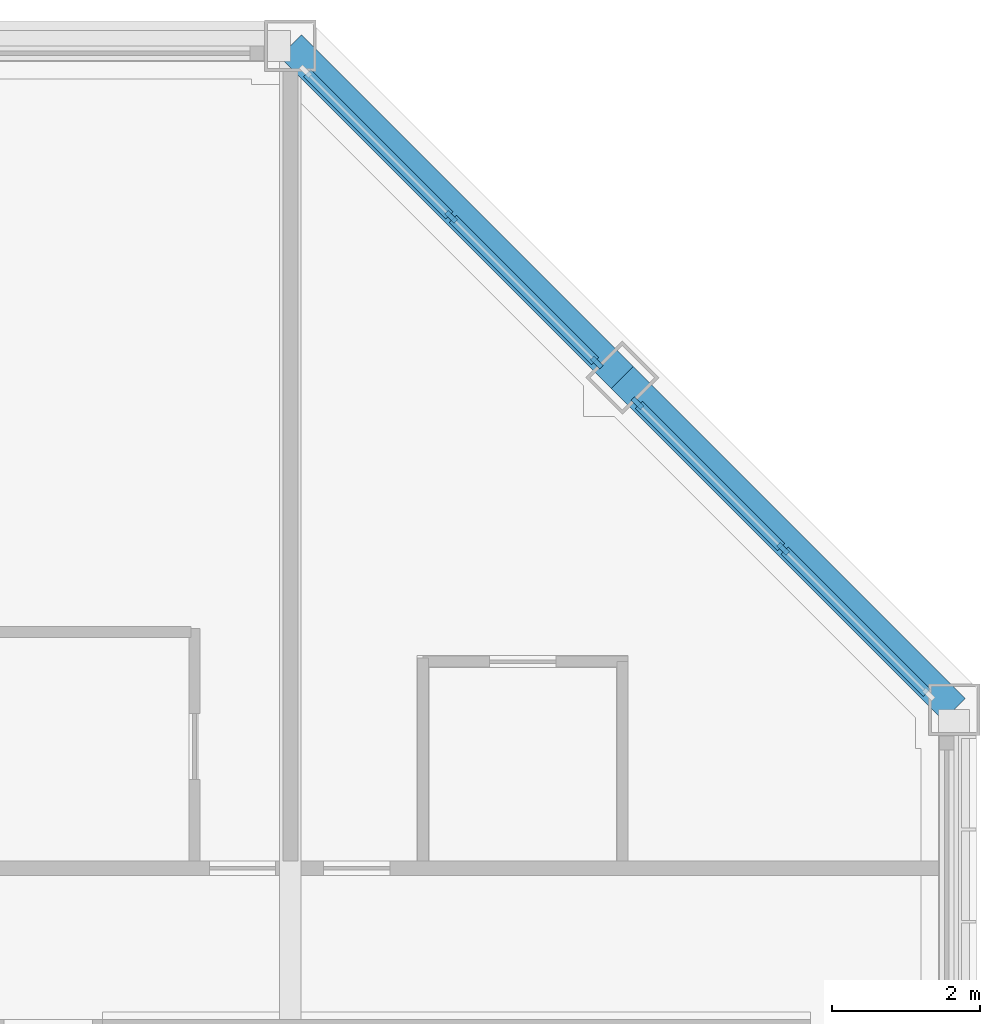
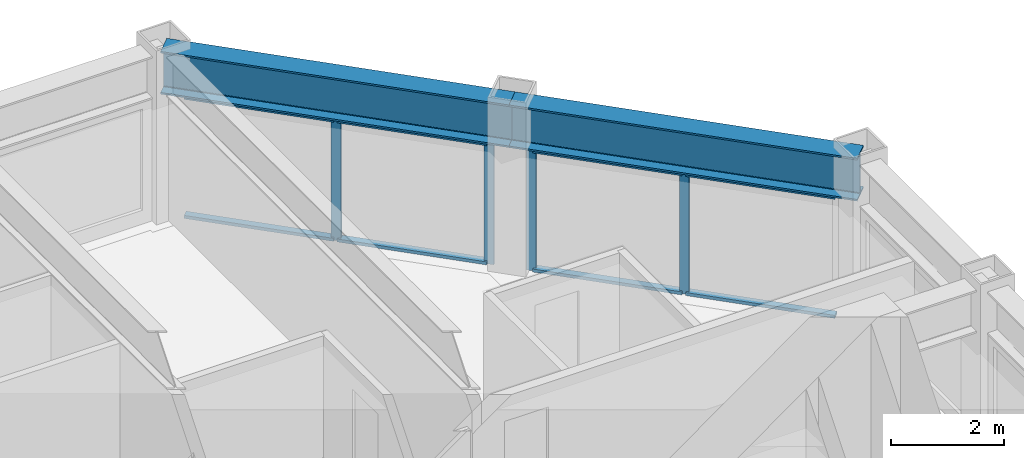
# One storey, part 7 of 17: 12 members, 2 beams, 2 elements without a shape of their own.
"""IFC4 building model written with IfcOpenShell, lengths in metres."""

from ifc_helpers import new_model, si_unit, direction, frame, origin, origin_2d, place, context, subcontext, project, spatial, rectangle, i_section, extrude, material, material_profile, profile_set, type_object, element, aggregate, save


model = new_model("IFC4")

# Units and contexts
model_context = context("Model", 3, precision=1e-05, world=origin(), true_north=direction((0.0, 1.0)))
body_context = subcontext(model_context, "Body", "Model", "MODEL_VIEW")
ifc_project = project(units=[si_unit("LENGTHUNIT", "METRE"), si_unit("AREAUNIT", "SQUARE_METRE"), si_unit("VOLUMEUNIT", "CUBIC_METRE"), si_unit("PLANEANGLEUNIT", "RADIAN"), si_unit("MASSUNIT", "GRAM", prefix="KILO")], contexts=[model_context])

# Site, building, storey
site_placement = place(None, origin())
site = spatial("IfcSite", under=ifc_project, at=site_placement, CompositionType="ELEMENT")
building_placement = place(site_placement, origin())
building = spatial("IfcBuilding", under=site, at=building_placement, Name="Msasa Ring Tower", CompositionType="ELEMENT")
storey_placement = place(building_placement, frame((0.0, 0.0, 238.300048828125)))
storey = spatial("IfcBuildingStorey", under=building, at=storey_placement, Name="L62", CompositionType="ELEMENT", Elevation=238.300048828125)

# Curtain wall, members
ifc_material_1 = material(Name="Aluminium curtain wall with clear glass", Category="aluminium")
curtain_wall_type = type_object("IfcCurtainWallType", Name="CW-C CHAMFER CORNER CURTAIN WALL", PredefinedType="NOTDEFINED", material=ifc_material_1)
curtain_wall_1_placement = place(storey_placement, origin())
curtain_wall_1 = element("IfcCurtainWall", 1, at=curtain_wall_1_placement, inside=storey, type_object=curtain_wall_type, Name="Chamfer corner curtain wall NE L62", PredefinedType="NOTDEFINED")
ifc_material_2 = material(Name="Aluminium mullion", Category="aluminium")
ifc_material_profile_1 = material_profile(ifc_material_2, rectangle(XDim=0.06494140625, YDim=0.179931640625, at=origin_2d()), Name="AL 65x180")
ifc_profile_set_1 = profile_set([ifc_material_profile_1], Name="Aluminium mullion")
member_type_1 = type_object("IfcMemberType", Name="CW-C MULLION 65x180", PredefinedType="MULLION", material=ifc_profile_set_1)
member_1_placement = place(storey_placement, frame((15.4052734375, 15.953369140625, 0.0), z_axis=(0.0, 0.0, 1.0), x_axis=(-0.707106781187, -0.707106781187, 0.0)))
member_1 = element("IfcMember", 2, at=member_1_placement, type_object=member_type_1, Name="CW-C mullion 1", PredefinedType="MULLION", context=body_context, shape_type="SweptSolid", body=[
    extrude(rectangle(XDim=0.06494140625, YDim=0.179931640625, at=origin_2d()), origin(), (0.0, 0.0, 1.0), 2.62890625),
])
member_2_placement = place(storey_placement, frame((13.42919921875, 17.92919921875, 0.0), z_axis=(0.0, 0.0, 1.0), x_axis=(-0.707106781187, -0.707106781187, 0.0)))
member_2 = element("IfcMember", 3, at=member_2_placement, type_object=member_type_1, Name="CW-C mullion 2", PredefinedType="MULLION", context=body_context, shape_type="SweptSolid", body=[
    extrude(rectangle(XDim=0.06494140625, YDim=0.179931640625, at=origin_2d()), origin(), (0.0, 0.0, 1.0), 2.62890625),
])

curtain_wall_2_placement = place(storey_placement, origin())
curtain_wall_2 = element("IfcCurtainWall", 4, at=curtain_wall_2_placement, inside=storey, type_object=curtain_wall_type, Name="Chamfer corner curtain wall NE L62", PredefinedType="NOTDEFINED")
member_3_placement = place(storey_placement, frame((17.92919921875, 13.42919921875, 0.0), z_axis=(0.0, 0.0, 1.0), x_axis=(-0.707106781187, -0.707106781187, 0.0)))
member_3 = element("IfcMember", 5, at=member_3_placement, type_object=member_type_1, Name="CW-C mullion 2", PredefinedType="MULLION", context=body_context, shape_type="SweptSolid", body=[
    extrude(rectangle(XDim=0.06494140625, YDim=0.179931640625, at=origin_2d()), origin(), (0.0, 0.0, 1.0), 2.62890625),
])
member_4_placement = place(storey_placement, frame((15.953369140625, 15.4052734375, 0.0), z_axis=(0.0, 0.0, 1.0), x_axis=(-0.707106781187, -0.707106781187, 0.0)))
member_4 = element("IfcMember", 6, at=member_4_placement, type_object=member_type_1, Name="CW-C mullion 3", PredefinedType="MULLION", context=body_context, shape_type="SweptSolid", body=[
    extrude(rectangle(XDim=0.06494140625, YDim=0.179931640625, at=origin_2d()), origin(), (0.0, 0.0, 1.0), 2.62890625),
])

# Member
ifc_material_3 = material(Name="Aluminium transom", Category="aluminium")
ifc_material_profile_2 = material_profile(ifc_material_3, rectangle(XDim=0.139892578125, YDim=0.06494140625, at=origin_2d()), Name="AL 65x140")
ifc_profile_set_2 = profile_set([ifc_material_profile_2], Name="Aluminium transom")
member_type_2 = type_object("IfcMemberType", Name="CW-C TRANSOM 65x140", PredefinedType="USERDEFINED", material=ifc_profile_set_2)
member_5_placement = place(storey_placement, frame((15.38232421875, 15.976318359375, 0.032470703125), z_axis=(-0.707106781187, 0.707106781187, 0.0), x_axis=(-0.707106781187, -0.707106781187, 0.0)))
member_5 = element("IfcMember", 7, at=member_5_placement, type_object=member_type_2, Name="CW-C transom 1.1", ObjectType="TRANSOM", PredefinedType="USERDEFINED", context=body_context, shape_type="SweptSolid", body=[
    extrude(rectangle(XDim=0.139892578125, YDim=0.06494140625, at=origin_2d()), origin(), (0.0, 0.0, 1.0), 2.729248046875),
])

member_6_placement = place(storey_placement, frame((15.38232421875, 15.976318359375, 2.596435546875), z_axis=(-0.707106781187, 0.707106781187, 0.0), x_axis=(-0.707106781187, -0.707106781187, 0.0)))
member_6 = element("IfcMember", 8, at=member_6_placement, type_object=member_type_2, Name="CW-C transom 1.2", ObjectType="TRANSOM", PredefinedType="USERDEFINED", context=body_context, shape_type="SweptSolid", body=[
    extrude(rectangle(XDim=0.139892578125, YDim=0.06494140625, at=origin_2d()), origin(), (0.0, 0.0, 1.0), 2.729248046875),
])

member_7_placement = place(storey_placement, frame((13.40625, 17.952392578125, 0.032470703125), z_axis=(-0.707106781187, 0.707106781187, 0.0), x_axis=(-0.707106781187, -0.707106781187, 0.0)))
member_7 = element("IfcMember", 9, at=member_7_placement, type_object=member_type_2, Name="CW-C transom 2.1", ObjectType="TRANSOM", PredefinedType="USERDEFINED", context=body_context, shape_type="SweptSolid", body=[
    extrude(rectangle(XDim=0.139892578125, YDim=0.06494140625, at=origin_2d()), origin(), (0.0, 0.0, 1.0), 2.729248046875),
])

member_8_placement = place(storey_placement, frame((13.40625, 17.952392578125, 2.596435546875), z_axis=(-0.707106781187, 0.707106781187, 0.0), x_axis=(-0.707106781187, -0.707106781187, 0.0)))
member_8 = element("IfcMember", 10, at=member_8_placement, type_object=member_type_2, Name="CW-C transom 2.2", ObjectType="TRANSOM", PredefinedType="USERDEFINED", context=body_context, shape_type="SweptSolid", body=[
    extrude(rectangle(XDim=0.139892578125, YDim=0.06494140625, at=origin_2d()), origin(), (0.0, 0.0, 1.0), 2.729248046875),
])

aggregate(curtain_wall_1, [member_1, member_2, member_5, member_6, member_7, member_8])

member_9_placement = place(storey_placement, frame((19.88232421875, 11.476318359375, 0.032470703125), z_axis=(-0.707106781187, 0.707106781187, 0.0), x_axis=(-0.707106781187, -0.707106781187, 0.0)))
member_9 = element("IfcMember", 11, at=member_9_placement, type_object=member_type_2, Name="CW-C transom 1.1", ObjectType="TRANSOM", PredefinedType="USERDEFINED", context=body_context, shape_type="SweptSolid", body=[
    extrude(rectangle(XDim=0.139892578125, YDim=0.06494140625, at=origin_2d()), origin(), (0.0, 0.0, 1.0), 2.729248046875),
])

member_10_placement = place(storey_placement, frame((19.88232421875, 11.476318359375, 2.596435546875), z_axis=(-0.707106781187, 0.707106781187, 0.0), x_axis=(-0.707106781187, -0.707106781187, 0.0)))
member_10 = element("IfcMember", 12, at=member_10_placement, type_object=member_type_2, Name="CW-C transom 1.2", ObjectType="TRANSOM", PredefinedType="USERDEFINED", context=body_context, shape_type="SweptSolid", body=[
    extrude(rectangle(XDim=0.139892578125, YDim=0.06494140625, at=origin_2d()), origin(), (0.0, 0.0, 1.0), 2.729248046875),
])

member_11_placement = place(storey_placement, frame((17.90625, 13.452392578125, 0.032470703125), z_axis=(-0.707106781187, 0.707106781187, 0.0), x_axis=(-0.707106781187, -0.707106781187, 0.0)))
member_11 = element("IfcMember", 13, at=member_11_placement, type_object=member_type_2, Name="CW-C transom 2.1", ObjectType="TRANSOM", PredefinedType="USERDEFINED", context=body_context, shape_type="SweptSolid", body=[
    extrude(rectangle(XDim=0.139892578125, YDim=0.06494140625, at=origin_2d()), origin(), (0.0, 0.0, 1.0), 2.729248046875),
])

member_12_placement = place(storey_placement, frame((17.90625, 13.452392578125, 2.596435546875), z_axis=(-0.707106781187, 0.707106781187, 0.0), x_axis=(-0.707106781187, -0.707106781187, 0.0)))
member_12 = element("IfcMember", 14, at=member_12_placement, type_object=member_type_2, Name="CW-C transom 2.2", ObjectType="TRANSOM", PredefinedType="USERDEFINED", context=body_context, shape_type="SweptSolid", body=[
    extrude(rectangle(XDim=0.139892578125, YDim=0.06494140625, at=origin_2d()), origin(), (0.0, 0.0, 1.0), 2.729248046875),
])

aggregate(curtain_wall_2, [member_3, member_4, member_9, member_10, member_11, member_12])

# Beams
ifc_material_4 = material(Name="Steel S355", Category="steel")
ifc_material_profile_3 = material_profile(ifc_material_4, i_section(OverallWidth=0.42041015625, OverallDepth=0.9208984375, WebThickness=0.021484375, FlangeThickness=0.03662109375, FilletRadius=0.024169921875, at=origin_2d()), Name="UB 914x419x388")
ifc_profile_set_3 = profile_set([ifc_material_profile_3], Name="Steel S355")
beam_type = type_object("IfcBeamType", Name="SB1 UB 914x419x388", PredefinedType="SPANDREL", material=ifc_profile_set_3)
for number, where, z_axis, x_axis, name in (
    (15, (20.25, 11.25, 3.08935546875), (-0.707106781187, 0.707106781187, 0.0), (-0.707106781187, -0.707106781187, 0.0), "Spandrel E+11.25 to NE under L63"),
    (16, (15.75, 15.75, 3.08935546875), (-0.707106781187, 0.707106781187, 0.0), (-0.707106781187, -0.707106781187, 0.0), "Spandrel NE to N+11.25 under L63"),
):
    element("IfcBeam", number, at=place(storey_placement, frame(where, z_axis=z_axis, x_axis=x_axis)), inside=storey, type_object=beam_type, Name=name, PredefinedType="SPANDREL", context=body_context, shape_type="SweptSolid", body=[
        extrude(i_section(OverallWidth=0.42041015625, OverallDepth=0.9208984375, WebThickness=0.021484375, FlangeThickness=0.03662109375, FilletRadius=0.024169921875, at=origin_2d()), origin(), (0.0, 0.0, 1.0), 6.364013671875),
    ])

save(model, "model.ifc")
